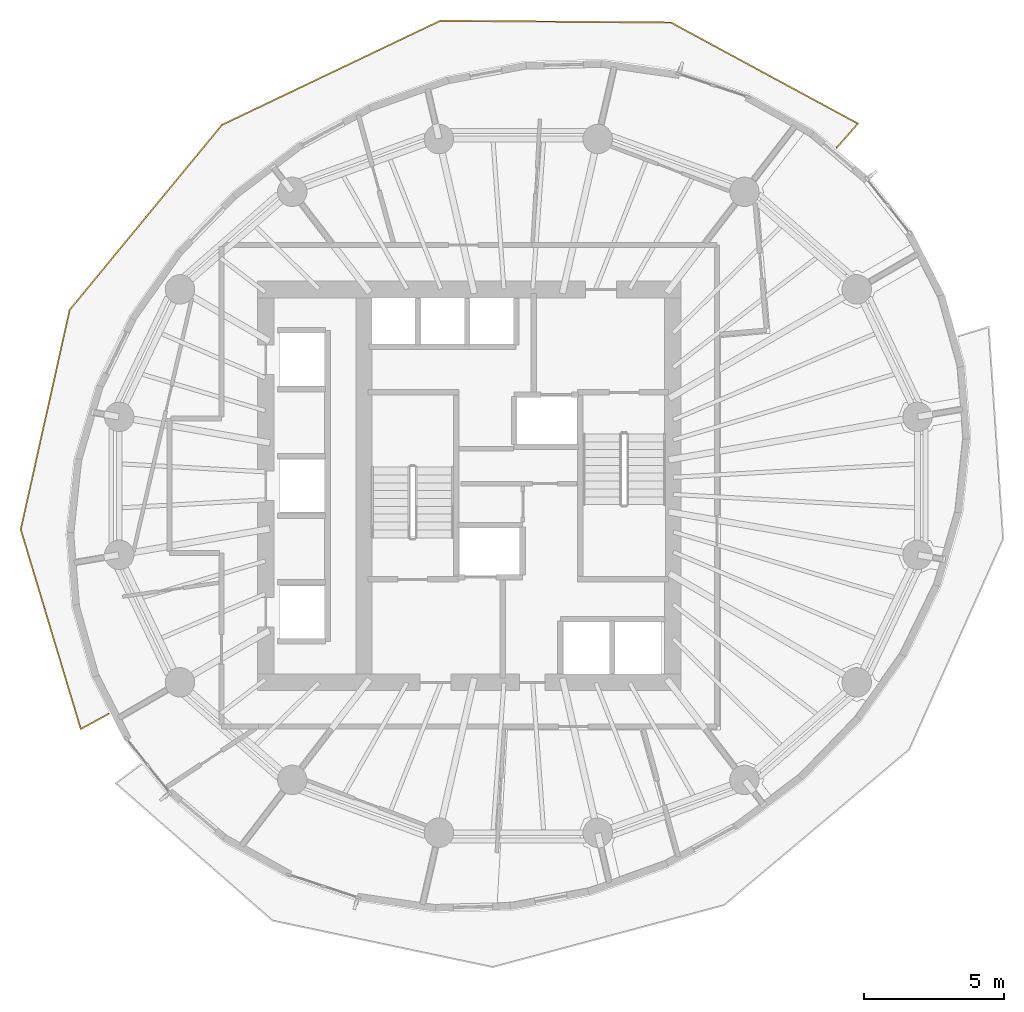
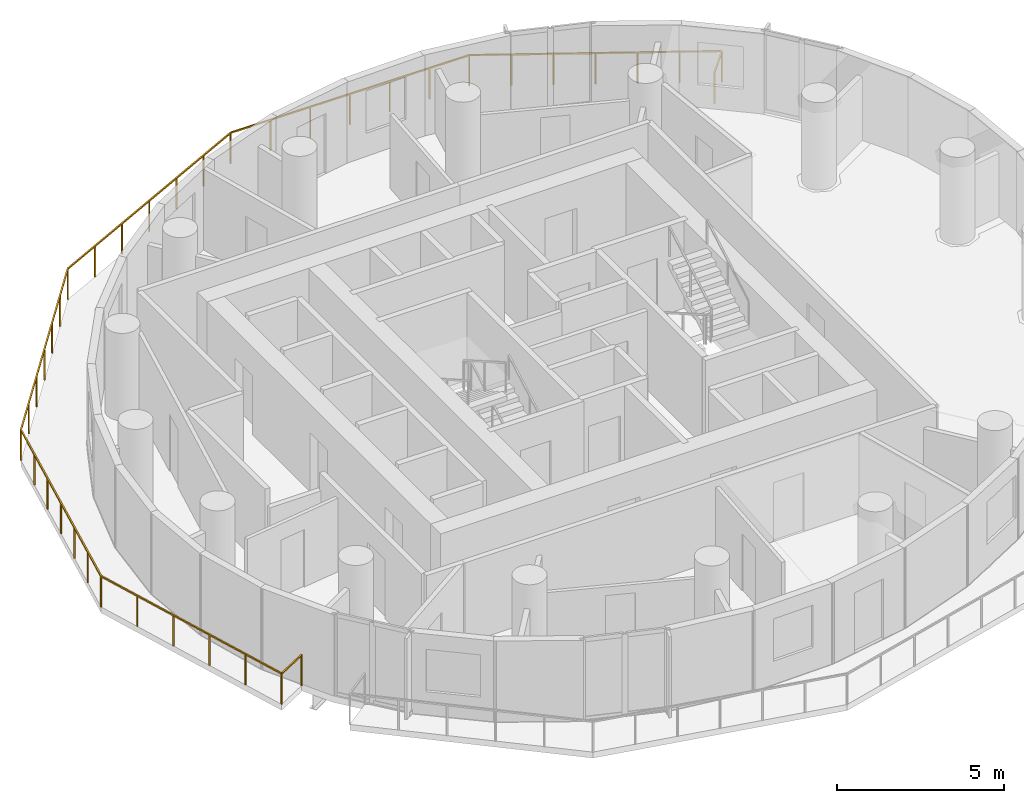
# One storey, part 11 of 12: 1 railing.
"""IFC4 building model written with IfcOpenShell, lengths in metres."""

from ifc_helpers import new_model, si_unit, direction, frame, origin, origin_2d, place, context, subcontext, project, spatial, rectangle, extrude, material, type_object, element, save


model = new_model("IFC4")

# Units and contexts
model_context = context("Model", 3, precision=1e-05, world=origin(), true_north=direction((0.0, 1.0)))
body_context = subcontext(model_context, "Body", "Model", "MODEL_VIEW")
ifc_project = project(units=[si_unit("LENGTHUNIT", "METRE"), si_unit("AREAUNIT", "SQUARE_METRE"), si_unit("VOLUMEUNIT", "CUBIC_METRE"), si_unit("PLANEANGLEUNIT", "RADIAN"), si_unit("MASSUNIT", "GRAM", prefix="KILO")], contexts=[model_context])

# Site, building, storey
site_placement = place(None, origin())
site = spatial("IfcSite", under=ifc_project, at=site_placement, CompositionType="ELEMENT")
building_placement = place(site_placement, origin())
building = spatial("IfcBuilding", under=site, at=building_placement, Name="Veldorim Arch Residences", CompositionType="ELEMENT")
storey_placement = place(building_placement, frame((0.0, 0.0, 136.159912109375)))
storey = spatial("IfcBuildingStorey", under=building, at=storey_placement, Name="L40", CompositionType="ELEMENT", Elevation=136.159912109375)

# Railing
ifc_material = material(Name="Aluminium", Category="aluminium")
railing_type = type_object("IfcRailingType", Name="Balcony & Terrace Laminated Glass Balustrade 1150", PredefinedType="BALUSTRADE", material=ifc_material)
railing_placement = place(storey_placement, frame((43.344482421875, 36.0439453125, 0.0)))
element("IfcRailing", 1, at=railing_placement, inside=storey, type_object=railing_type, Name="L40 crescent balcony safety balustrade A", PredefinedType="BALUSTRADE", context=body_context, shape_type="SweptSolid", body=[
    extrude(rectangle(XDim=0.048095703125, YDim=0.048095703125, at=origin_2d()), frame((0.0, 0.0, 1.1259765625), z_axis=(0.659871347294, 0.751378602983, 0.0), x_axis=(-0.751378602983, 0.659871347294, 0.0)), (0.0, 0.0, 1.0), 1.14990234375),
    extrude(rectangle(XDim=0.048095703125, YDim=0.048095703125, at=origin_2d()), frame((0.7587890625, 0.864013671875, 1.1259765625), z_axis=(-0.879694854098, 0.475538603768, 0.0), x_axis=(-0.475538603768, -0.879694854098, 0.0)), (0.0, 0.0, 1.0), 7.57568359375),
    extrude(rectangle(XDim=0.048095703125, YDim=0.048095703125, at=origin_2d()), frame((-5.905517578125, 4.466552734375, 1.1259765625), z_axis=(-0.999969496505, 0.007810637569, 0.0), x_axis=(-0.007810637569, -0.999969496505, 0.0)), (0.0, 0.0, 1.0), 8.220703125),
    extrude(rectangle(XDim=0.048095703125, YDim=0.048095703125, at=origin_2d()), frame((-14.1259765625, 4.53076171875, 1.1259765625), z_axis=(-0.902569320291, -0.430544564556, 0.0), x_axis=(0.430544564556, -0.902569320291, 0.0)), (0.0, 0.0, 1.0), 8.62255859375),
    extrude(rectangle(XDim=0.048095703125, YDim=0.048095703125, at=origin_2d()), frame((-21.908447265625, 0.818359375, 1.1259765625), z_axis=(-0.635620004197, -0.772002079184, 0.0), x_axis=(0.772002079184, -0.635620004197, 0.0)), (0.0, 0.0, 1.0), 8.533447265625),
    extrude(rectangle(XDim=0.048095703125, YDim=0.048095703125, at=origin_2d()), frame((-27.33251953125, -5.76953125, 1.1259765625), z_axis=(-0.217536384913, -0.976052212353, 0.0), x_axis=(0.976052212353, -0.217536384913, 0.0)), (0.0, 0.0, 1.0), 8.02001953125),
    extrude(rectangle(XDim=0.048095703125, YDim=0.048095703125, at=origin_2d()), frame((-29.0771484375, -13.597412109375, 1.1259765625), z_axis=(0.288170848247, -0.957579010955, 0.0), x_axis=(0.957579010955, 0.288170848247, 0.0)), (0.0, 0.0, 1.0), 7.42919921875),
    extrude(rectangle(XDim=0.048095703125, YDim=0.048095703125, at=origin_2d()), frame((-26.936279296875, -20.71142578125, 1.1259765625), z_axis=(0.878300933975, 0.478108219317, 0.0), x_axis=(-0.478108219317, 0.878300933975, 0.0)), (0.0, 0.0, 1.0), 1.14990234375),
    extrude(rectangle(XDim=0.0419921875, YDim=0.0419921875, at=origin_2d()), origin(), (0.0, 0.0, 1.0), 1.101806640625),
    extrude(rectangle(XDim=0.0419921875, YDim=0.0419921875, at=origin_2d()), frame((0.7587890625, 0.864013671875, 0.0)), (0.0, 0.0, 1.0), 1.101806640625),
    extrude(rectangle(XDim=0.0419921875, YDim=0.0419921875, at=origin_2d()), frame((-0.35205078125, 1.46435546875, 0.0)), (0.0, 0.0, 1.0), 1.101806640625),
    extrude(rectangle(XDim=0.0419921875, YDim=0.0419921875, at=origin_2d()), frame((-1.462646484375, 2.06494140625, 0.0)), (0.0, 0.0, 1.0), 1.101806640625),
    extrude(rectangle(XDim=0.0419921875, YDim=0.0419921875, at=origin_2d()), frame((-2.5732421875, 2.665283203125, 0.0)), (0.0, 0.0, 1.0), 1.101806640625),
    extrude(rectangle(XDim=0.0419921875, YDim=0.0419921875, at=origin_2d()), frame((-3.68408203125, 3.265625, 0.0)), (0.0, 0.0, 1.0), 1.101806640625),
    extrude(rectangle(XDim=0.0419921875, YDim=0.0419921875, at=origin_2d()), frame((-4.794921875, 3.8662109375, 0.0)), (0.0, 0.0, 1.0), 1.101806640625),
    extrude(rectangle(XDim=0.0419921875, YDim=0.0419921875, at=origin_2d()), frame((-5.905517578125, 4.466552734375, 0.0)), (0.0, 0.0, 1.0), 1.101806640625),
    extrude(rectangle(XDim=0.0419921875, YDim=0.0419921875, at=origin_2d()), frame((-7.275634765625, 4.477294921875, 0.0)), (0.0, 0.0, 1.0), 1.101806640625),
    extrude(rectangle(XDim=0.0419921875, YDim=0.0419921875, at=origin_2d()), frame((-8.645751953125, 4.488037109375, 0.0)), (0.0, 0.0, 1.0), 1.101806640625),
    extrude(rectangle(XDim=0.0419921875, YDim=0.0419921875, at=origin_2d()), frame((-10.015625, 4.49853515625, 0.0)), (0.0, 0.0, 1.0), 1.101806640625),
    extrude(rectangle(XDim=0.0419921875, YDim=0.0419921875, at=origin_2d()), frame((-11.3857421875, 4.50927734375, 0.0)), (0.0, 0.0, 1.0), 1.101806640625),
    extrude(rectangle(XDim=0.0419921875, YDim=0.0419921875, at=origin_2d()), frame((-12.755859375, 4.52001953125, 0.0)), (0.0, 0.0, 1.0), 1.101806640625),
    extrude(rectangle(XDim=0.0419921875, YDim=0.0419921875, at=origin_2d()), frame((-14.1259765625, 4.53076171875, 0.0)), (0.0, 0.0, 1.0), 1.101806640625),
    extrude(rectangle(XDim=0.0419921875, YDim=0.0419921875, at=origin_2d()), frame((-15.423095703125, 3.912109375, 0.0)), (0.0, 0.0, 1.0), 1.101806640625),
    extrude(rectangle(XDim=0.0419921875, YDim=0.0419921875, at=origin_2d()), frame((-16.72021484375, 3.293212890625, 0.0)), (0.0, 0.0, 1.0), 1.101806640625),
    extrude(rectangle(XDim=0.0419921875, YDim=0.0419921875, at=origin_2d()), frame((-18.01708984375, 2.674560546875, 0.0)), (0.0, 0.0, 1.0), 1.101806640625),
    extrude(rectangle(XDim=0.0419921875, YDim=0.0419921875, at=origin_2d()), frame((-19.314208984375, 2.055908203125, 0.0)), (0.0, 0.0, 1.0), 1.101806640625),
    extrude(rectangle(XDim=0.0419921875, YDim=0.0419921875, at=origin_2d()), frame((-20.611328125, 1.43701171875, 0.0)), (0.0, 0.0, 1.0), 1.101806640625),
    extrude(rectangle(XDim=0.0419921875, YDim=0.0419921875, at=origin_2d()), frame((-21.908447265625, 0.818359375, 0.0)), (0.0, 0.0, 1.0), 1.101806640625),
    extrude(rectangle(XDim=0.0419921875, YDim=0.0419921875, at=origin_2d()), frame((-22.8125, -0.279541015625, 0.0)), (0.0, 0.0, 1.0), 1.101806640625),
    extrude(rectangle(XDim=0.0419921875, YDim=0.0419921875, at=origin_2d()), frame((-23.716552734375, -1.377685546875, 0.0)), (0.0, 0.0, 1.0), 1.101806640625),
    extrude(rectangle(XDim=0.0419921875, YDim=0.0419921875, at=origin_2d()), frame((-24.62060546875, -2.4755859375, 0.0)), (0.0, 0.0, 1.0), 1.101806640625),
    extrude(rectangle(XDim=0.0419921875, YDim=0.0419921875, at=origin_2d()), frame((-25.5244140625, -3.573486328125, 0.0)), (0.0, 0.0, 1.0), 1.101806640625),
    extrude(rectangle(XDim=0.0419921875, YDim=0.0419921875, at=origin_2d()), frame((-26.428466796875, -4.671630859375, 0.0)), (0.0, 0.0, 1.0), 1.101806640625),
    extrude(rectangle(XDim=0.0419921875, YDim=0.0419921875, at=origin_2d()), frame((-27.33251953125, -5.76953125, 0.0)), (0.0, 0.0, 1.0), 1.101806640625),
    extrude(rectangle(XDim=0.0419921875, YDim=0.0419921875, at=origin_2d()), frame((-27.623291015625, -7.07421875, 0.0)), (0.0, 0.0, 1.0), 1.101806640625),
    extrude(rectangle(XDim=0.0419921875, YDim=0.0419921875, at=origin_2d()), frame((-27.9140625, -8.37890625, 0.0)), (0.0, 0.0, 1.0), 1.101806640625),
    extrude(rectangle(XDim=0.0419921875, YDim=0.0419921875, at=origin_2d()), frame((-28.204833984375, -9.68359375, 0.0)), (0.0, 0.0, 1.0), 1.101806640625),
    extrude(rectangle(XDim=0.0419921875, YDim=0.0419921875, at=origin_2d()), frame((-28.49560546875, -10.988037109375, 0.0)), (0.0, 0.0, 1.0), 1.101806640625),
    extrude(rectangle(XDim=0.0419921875, YDim=0.0419921875, at=origin_2d()), frame((-28.786376953125, -12.292724609375, 0.0)), (0.0, 0.0, 1.0), 1.101806640625),
    extrude(rectangle(XDim=0.0419921875, YDim=0.0419921875, at=origin_2d()), frame((-29.0771484375, -13.597412109375, 0.0)), (0.0, 0.0, 1.0), 1.101806640625),
    extrude(rectangle(XDim=0.0419921875, YDim=0.0419921875, at=origin_2d()), frame((-28.64892578125, -15.020263671875, 0.0)), (0.0, 0.0, 1.0), 1.101806640625),
    extrude(rectangle(XDim=0.0419921875, YDim=0.0419921875, at=origin_2d()), frame((-28.220703125, -16.443115234375, 0.0)), (0.0, 0.0, 1.0), 1.101806640625),
    extrude(rectangle(XDim=0.0419921875, YDim=0.0419921875, at=origin_2d()), frame((-27.792724609375, -17.86572265625, 0.0)), (0.0, 0.0, 1.0), 1.101806640625),
    extrude(rectangle(XDim=0.0419921875, YDim=0.0419921875, at=origin_2d()), frame((-27.364501953125, -19.28857421875, 0.0)), (0.0, 0.0, 1.0), 1.101806640625),
    extrude(rectangle(XDim=0.0419921875, YDim=0.0419921875, at=origin_2d()), frame((-26.936279296875, -20.71142578125, 0.0)), (0.0, 0.0, 1.0), 1.101806640625),
    extrude(rectangle(XDim=0.0419921875, YDim=0.0419921875, at=origin_2d()), frame((-25.92626953125, -20.16162109375, 0.0)), (0.0, 0.0, 1.0), 1.101806640625),
])

save(model, "model.ifc")
